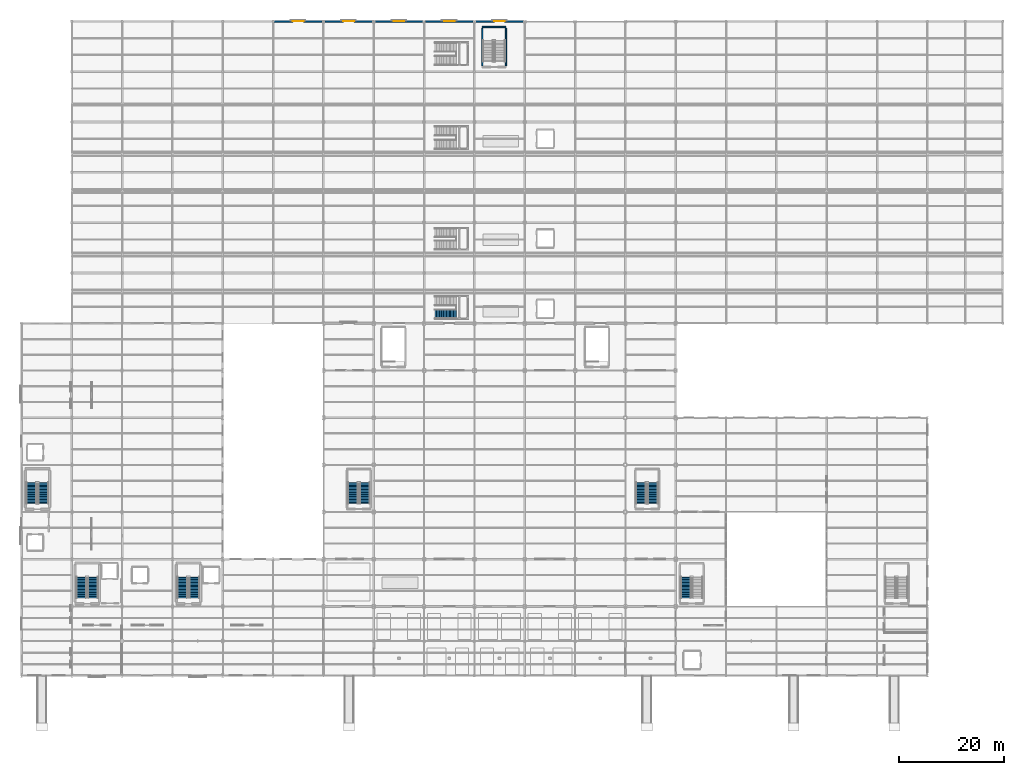
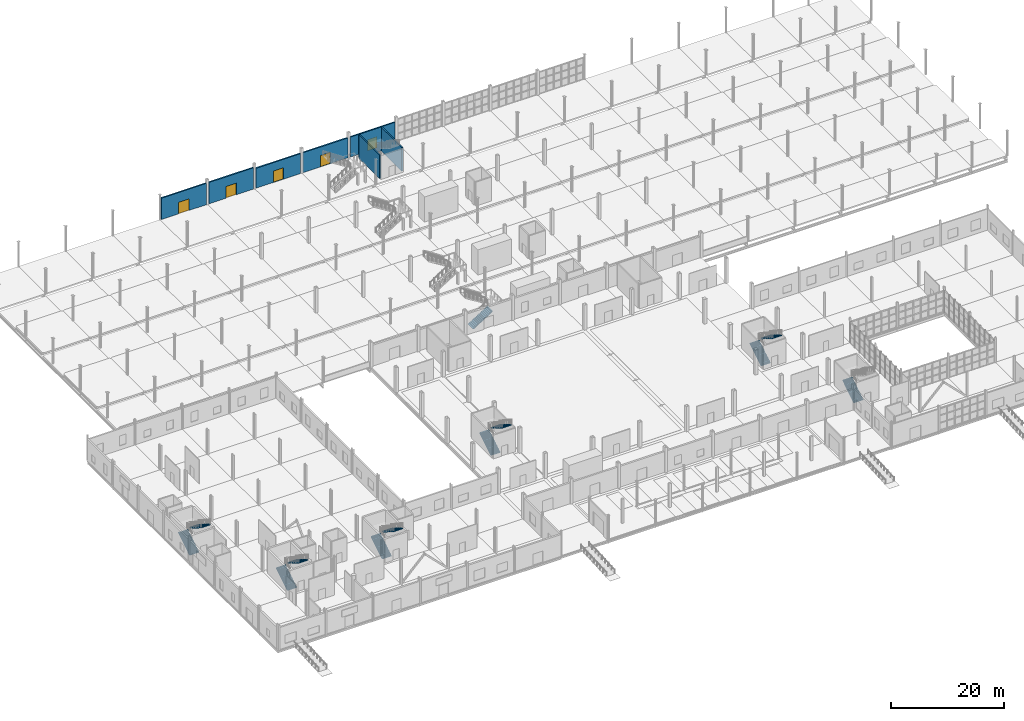
# One storey, part 73 of 85: 12 stair flights, 8 walls, 5 doors, 5 openings, 7 elements without a shape of their own.
"""IFC4 building model written with IfcOpenShell, lengths in metres."""

from ifc_helpers import new_model, si_unit, direction, frame, frame_2d, origin, place, context, subcontext, project, spatial, polyline, rectangle, outline, extrude, material, layer, layer_set, type_object, element, fill, aggregate, save


model = new_model("IFC4")

# Units and contexts
model_context = context("Model", 3, precision=1e-05, world=origin(), true_north=direction((0.0, 1.0)))
body_context = subcontext(model_context, "Body", "Model", "MODEL_VIEW")
ifc_project = project(units=[si_unit("LENGTHUNIT", "METRE"), si_unit("AREAUNIT", "SQUARE_METRE"), si_unit("VOLUMEUNIT", "CUBIC_METRE"), si_unit("PLANEANGLEUNIT", "RADIAN"), si_unit("MASSUNIT", "GRAM", prefix="KILO")], contexts=[model_context])

# Site, building, storey
site_placement = place(None, origin())
site = spatial("IfcSite", under=ifc_project, at=site_placement, CompositionType="ELEMENT")
building_placement = place(site_placement, origin())
building = spatial("IfcBuilding", under=site, at=building_placement, Name="Zarnetskaya Central Station", CompositionType="ELEMENT")
storey_placement = place(building_placement, origin())
storey = spatial("IfcBuildingStorey", under=building, at=storey_placement, Name="L00", CompositionType="ELEMENT", Elevation=0.0)

# Wall, opening, door
ifc_material_1 = material(Name="Precast concrete C40/50", Category="concrete")
ifc_layer_1 = layer(ifc_material_1, 0.280029296875, Name="Precast concrete C40/50", Category="concrete")
ifc_layer_set_1 = layer_set([ifc_layer_1], Name="Precast concrete C40/50")
wall_type_1 = type_object("IfcWallType", Name="WALL-EXT-280", PredefinedType="SOLIDWALL", material=ifc_layer_set_1)
wall_1_placement = place(storey_placement, frame((48.203125, 124.800048828125, 0.0), z_axis=(0.0, 0.0, 1.0), x_axis=(1.0, 0.0, 0.0)))
wall_1 = element("IfcWall", 1, at=wall_1_placement, inside=storey, type_object=wall_type_1, Name="Exterior precast wall EW-L00-482-1248-574-1248", PredefinedType="SOLIDWALL", context=body_context, shape_type="SweptSolid", body=[
    extrude(rectangle(XDim=9.14697265625, YDim=0.280029296875, at=frame_2d((4.573486328125, 0.0))), origin(), (0.0, 0.0, 1.0), 4.60009765625),
])
opening_1_placement = place(wall_1_placement, frame((3.498291015625, 0.0, 0.0)))
opening_1 = element("IfcOpeningElement", 2, at=opening_1_placement, cuts=wall_1, Name="Opening ED-13", PredefinedType="OPENING", context=body_context, shape_type="SweptSolid", body=[
    extrude(rectangle(XDim=2.14990234375, YDim=2.5, at=frame_2d((1.074951171875, 1.25))), frame((0.0, 0.14990234375, 0.0), z_axis=(0.0, -1.0, 0.0), x_axis=(1.0, 0.0, 0.0)), (0.0, 0.0, 1.0), 0.300048828125),
])
ifc_material_2 = material(Name="Anodised aluminium", Category="aluminium")
door_type_1 = type_object("IfcDoorType", Name="DR-EXT-215x250", OperationType="NOTDEFINED", PredefinedType="DOOR", material=ifc_material_2)
door_1_placement = place(opening_1_placement, origin())
door_1 = element("IfcDoor", 3, at=door_1_placement, inside=storey, type_object=door_type_1, Name="Pedestrian final exit door ED-26", OperationType="DOUBLE_DOOR_SINGLE_SWING", OverallHeight=2.5, OverallWidth=2.14990234375, PredefinedType="DOOR", context=body_context, shape_type="SweptSolid", body=[
    extrude(rectangle(XDim=2.14990234375, YDim=2.5, at=frame_2d((1.074951171875, 1.25))), frame((0.0, 0.02490234375, 0.0), z_axis=(0.0, -1.0, 0.0), x_axis=(1.0, 0.0, 0.0)), (0.0, 0.0, 1.0), 0.050048828125),
])
fill(opening_1, door_1)

wall_2_placement = place(storey_placement, frame((57.85009765625, 124.800048828125, 0.0), z_axis=(0.0, 0.0, 1.0), x_axis=(1.0, 0.0, 0.0)))
wall_2 = element("IfcWall", 4, at=wall_2_placement, inside=storey, type_object=wall_type_1, Name="Exterior precast wall EW-L00-578-1248-670-1248", PredefinedType="SOLIDWALL", context=body_context, shape_type="SweptSolid", body=[
    extrude(rectangle(XDim=9.099853515625, YDim=0.280029296875, at=frame_2d((4.5498046875, 0.0))), origin(), (0.0, 0.0, 1.0), 4.60009765625),
])
opening_2_placement = place(wall_2_placement, frame((3.5, 0.0, 0.0)))
opening_2 = element("IfcOpeningElement", 5, at=opening_2_placement, cuts=wall_2, Name="Opening ED-10", PredefinedType="OPENING", context=body_context, shape_type="SweptSolid", body=[
    extrude(rectangle(XDim=2.10009765625, YDim=2.5, at=frame_2d((1.050048828125, 1.25))), frame((0.0, 0.14990234375, 0.0), z_axis=(0.0, -1.0, 0.0), x_axis=(1.0, 0.0, 0.0)), (0.0, 0.0, 1.0), 0.300048828125),
])
door_type_2 = type_object("IfcDoorType", Name="DR-EXT-210x250", OperationType="NOTDEFINED", PredefinedType="DOOR", material=ifc_material_2)
door_2_placement = place(opening_2_placement, origin())
door_2 = element("IfcDoor", 6, at=door_2_placement, inside=storey, type_object=door_type_2, Name="Pedestrian final exit door ED-27", OperationType="DOUBLE_DOOR_SINGLE_SWING", OverallHeight=2.5, OverallWidth=2.10009765625, PredefinedType="DOOR", context=body_context, shape_type="SweptSolid", body=[
    extrude(rectangle(XDim=2.10009765625, YDim=2.5, at=frame_2d((1.050048828125, 1.25))), frame((0.0, 0.02490234375, 0.0), z_axis=(0.0, -1.0, 0.0), x_axis=(1.0, 0.0, 0.0)), (0.0, 0.0, 1.0), 0.050048828125),
])
fill(opening_2, door_2)

wall_3_placement = place(storey_placement, frame((67.449951171875, 124.800048828125, 0.0), z_axis=(0.0, 0.0, 1.0), x_axis=(1.0, 0.0, 0.0)))
wall_3 = element("IfcWall", 7, at=wall_3_placement, inside=storey, type_object=wall_type_1, Name="Exterior precast wall EW-L00-674-1248-766-1248", PredefinedType="SOLIDWALL", context=body_context, shape_type="SweptSolid", body=[
    extrude(rectangle(XDim=9.10009765625, YDim=0.280029296875, at=frame_2d((4.550048828125, 0.0))), origin(), (0.0, 0.0, 1.0), 4.2900390625),
])
opening_3_placement = place(wall_3_placement, frame((3.52490234375, 0.0, 0.0)))
opening_3 = element("IfcOpeningElement", 8, at=opening_3_placement, cuts=wall_3, Name="Opening ED-14", PredefinedType="OPENING", context=body_context, shape_type="SweptSolid", body=[
    extrude(rectangle(XDim=2.050048828125, YDim=2.449951171875, at=frame_2d((1.02490234375, 1.22509765625))), frame((0.0, 0.14990234375, 0.0), z_axis=(0.0, -1.0, 0.0), x_axis=(1.0, 0.0, 0.0)), (0.0, 0.0, 1.0), 0.300048828125),
])
door_type_3 = type_object("IfcDoorType", Name="DR-EXT-205x245", OperationType="NOTDEFINED", PredefinedType="DOOR", material=ifc_material_2)
door_3_placement = place(opening_3_placement, origin())
door_3 = element("IfcDoor", 9, at=door_3_placement, inside=storey, type_object=door_type_3, Name="Pedestrian final exit door ED-28", OperationType="DOUBLE_DOOR_SINGLE_SWING", OverallHeight=2.449951171875, OverallWidth=2.050048828125, PredefinedType="DOOR", context=body_context, shape_type="SweptSolid", body=[
    extrude(rectangle(XDim=2.050048828125, YDim=2.449951171875, at=frame_2d((1.02490234375, 1.22509765625))), frame((0.0, 0.02490234375, 0.0), z_axis=(0.0, -1.0, 0.0), x_axis=(1.0, 0.0, 0.0)), (0.0, 0.0, 1.0), 0.050048828125),
])
fill(opening_3, door_3)

wall_4_placement = place(storey_placement, frame((77.050048828125, 124.800048828125, 0.0), z_axis=(0.0, 0.0, 1.0), x_axis=(1.0, 0.0, 0.0)))
wall_4 = element("IfcWall", 10, at=wall_4_placement, inside=storey, type_object=wall_type_1, Name="Exterior precast wall EW-L00-770-1248-862-1248", PredefinedType="SOLIDWALL", context=body_context, shape_type="SweptSolid", body=[
    extrude(rectangle(XDim=9.099853515625, YDim=0.280029296875, at=frame_2d((4.5498046875, 0.0))), origin(), (0.0, 0.0, 1.0), 4.2900390625),
])
opening_4_placement = place(wall_4_placement, frame((3.550048828125, 0.0, 0.0)))
opening_4 = element("IfcOpeningElement", 11, at=opening_4_placement, cuts=wall_4, Name="Opening ED-03", PredefinedType="OPENING", context=body_context, shape_type="SweptSolid", body=[
    extrude(rectangle(XDim=2.0, YDim=2.449951171875, at=frame_2d((1.0, 1.22509765625))), frame((0.0, 0.14990234375, 0.0), z_axis=(0.0, -1.0, 0.0), x_axis=(1.0, 0.0, 0.0)), (0.0, 0.0, 1.0), 0.300048828125),
])
door_type_4 = type_object("IfcDoorType", Name="DR-EXT-200x245", OperationType="NOTDEFINED", PredefinedType="DOOR", material=ifc_material_2)
door_4_placement = place(opening_4_placement, origin())
door_4 = element("IfcDoor", 12, at=door_4_placement, inside=storey, type_object=door_type_4, Name="Pedestrian final exit door ED-29", OperationType="DOUBLE_DOOR_SINGLE_SWING", OverallHeight=2.449951171875, OverallWidth=2.0, PredefinedType="DOOR", context=body_context, shape_type="SweptSolid", body=[
    extrude(rectangle(XDim=2.0, YDim=2.449951171875, at=frame_2d((1.0, 1.22509765625))), frame((0.0, 0.02490234375, 0.0), z_axis=(0.0, -1.0, 0.0), x_axis=(1.0, 0.0, 0.0)), (0.0, 0.0, 1.0), 0.050048828125),
])
fill(opening_4, door_4)

wall_5_placement = place(storey_placement, frame((86.64990234375, 124.800048828125, 0.0), z_axis=(0.0, 0.0, 1.0), x_axis=(1.0, 0.0, 0.0)))
wall_5 = element("IfcWall", 13, at=wall_5_placement, inside=storey, type_object=wall_type_1, Name="Exterior precast wall EW-L00-866-1248-958-1248", PredefinedType="SOLIDWALL", context=body_context, shape_type="SweptSolid", body=[
    extrude(rectangle(XDim=9.10009765625, YDim=0.280029296875, at=frame_2d((4.550048828125, 0.0))), origin(), (0.0, 0.0, 1.0), 4.2900390625),
])
opening_5_placement = place(wall_5_placement, frame((3.574951171875, 0.0, 0.0)))
opening_5 = element("IfcOpeningElement", 14, at=opening_5_placement, cuts=wall_5, Name="Opening ED-08", PredefinedType="OPENING", context=body_context, shape_type="SweptSolid", body=[
    extrude(rectangle(XDim=1.949951171875, YDim=2.39990234375, at=frame_2d((0.97509765625, 1.199951171875))), frame((0.0, 0.14990234375, 0.0), z_axis=(0.0, -1.0, 0.0), x_axis=(1.0, 0.0, 0.0)), (0.0, 0.0, 1.0), 0.300048828125),
])
door_type_5 = type_object("IfcDoorType", Name="DR-EXT-195x240", OperationType="NOTDEFINED", PredefinedType="DOOR", material=ifc_material_2)
door_5_placement = place(opening_5_placement, origin())
door_5 = element("IfcDoor", 15, at=door_5_placement, inside=storey, type_object=door_type_5, Name="Pedestrian final exit door ED-30", OperationType="DOUBLE_DOOR_SINGLE_SWING", OverallHeight=2.39990234375, OverallWidth=1.949951171875, PredefinedType="DOOR", context=body_context, shape_type="SweptSolid", body=[
    extrude(rectangle(XDim=1.949951171875, YDim=2.39990234375, at=frame_2d((0.97509765625, 1.199951171875))), frame((0.0, 0.02490234375, 0.0), z_axis=(0.0, -1.0, 0.0), x_axis=(1.0, 0.0, 0.0)), (0.0, 0.0, 1.0), 0.050048828125),
])
fill(opening_5, door_5)

# Walls
ifc_material_3 = material(Name="Concrete C35/45", Category="concrete")
ifc_layer_2 = layer(ifc_material_3, 0.239990234375, Name="Concrete C35/45", Category="concrete")
ifc_layer_set_2 = layer_set([ifc_layer_2], Name="Concrete C35/45")
wall_type_2 = type_object("IfcWallType", Name="WALL-SHFT-240", PredefinedType="SHEAR", material=ifc_layer_set_2)
wall_6_placement = place(storey_placement, frame((87.8798828125, 123.719970703125, 0.0), z_axis=(0.0, 0.0, 1.0), x_axis=(1.0, 0.0, 0.0)))
element("IfcWall", 16, at=wall_6_placement, inside=storey, type_object=wall_type_2, Name="Core shear wall WSTR-L00-0322", PredefinedType="SHEAR", context=body_context, shape_type="SweptSolid", body=[
    extrude(rectangle(XDim=4.5400390625, YDim=0.239990234375, at=frame_2d((2.27001953125, 0.0))), origin(), (0.0, 0.0, 1.0), 5.1201171875),
])
for number, where, z_axis, x_axis, name in (
    (17, (87.8798828125, 116.320068359375, 0.0), (0.0, 0.0, 1.0), (0.0, 1.0, 0.0), "Core shear wall WSTR-L00-0323"),
    (18, (92.419921875, 123.47998046875, 0.0), (0.0, 0.0, 1.0), (0.0, -1.0, 0.0), "Core shear wall WSTR-L00-0324"),
):
    element("IfcWall", number, at=place(storey_placement, frame(where, z_axis=z_axis, x_axis=x_axis)), inside=storey, type_object=wall_type_2, Name=name, PredefinedType="SHEAR", context=body_context, shape_type="SweptSolid", body=[
        extrude(rectangle(XDim=7.159912109375, YDim=0.239990234375, at=frame_2d((3.580078125, 0.0))), origin(), (0.0, 0.0, 1.0), 5.1201171875),
    ])

# Stair, stair flights
ifc_material_4 = material(Name="Concrete C30/37", Category="concrete")
stair_type_1 = type_object("IfcStairType", Name="STAIR-ASSY-01", PredefinedType="HALF_TURN_STAIR", material=ifc_material_4)
stair_1_placement = place(storey_placement, origin())
stair_1 = element("IfcStair", 19, at=stair_1_placement, inside=storey, type_object=stair_type_1, Name="Exit Stair ST-C1 L00", PredefinedType="HALF_TURN_STAIR")
stair_flight_type_1 = type_object("IfcStairFlightType", Name="FLT-TYPE-01", PredefinedType="STRAIGHT", material=ifc_material_4)
stair_flight_1_placement = place(storey_placement, frame((11.39990234375, 14.800048828125, 0.0), z_axis=(0.0, 0.0, 1.0), x_axis=(0.0, 1.0, 0.0)))
stair_flight_1 = element("IfcStairFlight", 20, at=stair_flight_1_placement, type_object=stair_flight_type_1, Name="ST-03 flight 1", NumberOfRisers=16, NumberOfTreads=15, PredefinedType="STRAIGHT", RiserHeight=0.16875, TreadLength=0.27, context=body_context, shape_type="SweptSolid", body=[
    extrude(outline(polyline([(0.0, 0.0), (0.0, 0.168701171875), (0.27001953125, 0.168701171875), (0.27001953125, 0.33740234375), (0.5400390625, 0.33740234375), (0.5400390625, 0.50634765625), (0.81005859375, 0.50634765625), (0.81005859375, 0.675048828125), (1.080078125, 0.675048828125), (1.080078125, 0.84375), (1.35009765625, 0.84375), (1.35009765625, 1.012451171875), (1.6201171875, 1.012451171875), (1.6201171875, 1.18115234375), (1.889892578125, 1.18115234375), (1.889892578125, 1.35009765625), (2.159912109375, 1.35009765625), (2.159912109375, 1.518798828125), (2.429931640625, 1.518798828125), (2.429931640625, 1.6875), (2.699951171875, 1.6875), (2.699951171875, 1.856201171875), (2.969970703125, 1.856201171875), (2.969970703125, 2.02490234375), (3.239990234375, 2.02490234375), (3.239990234375, 2.19384765625), (3.510009765625, 2.19384765625), (3.510009765625, 2.362548828125), (3.780029296875, 2.362548828125), (3.780029296875, 2.53125), (4.050048828125, 2.53125), (4.050048828125, 2.699951171875), (4.050048828125, 2.3544921875), (0.28271484375, 0.0), (0.0, 0.0)])), frame((0.0, 0.9599609375, 0.0), z_axis=(0.0, -1.0, 0.0), x_axis=(1.0, 0.0, 0.0)), (0.0, 0.0, 1.0), 1.919921875),
])
stair_flight_2_placement = place(storey_placement, frame((13.699951171875, 18.85009765625, 2.699951171875), z_axis=(0.0, 0.0, 1.0), x_axis=(0.0, -1.0, 0.0)))
stair_flight_2 = element("IfcStairFlight", 21, at=stair_flight_2_placement, type_object=stair_flight_type_1, Name="ST-03 flight 2", NumberOfRisers=16, NumberOfTreads=15, PredefinedType="STRAIGHT", RiserHeight=0.16875, TreadLength=0.27, context=body_context, shape_type="SweptSolid", body=[
    extrude(outline(polyline([(0.0, 0.0), (0.0, 0.168701171875), (0.27001953125, 0.168701171875), (0.27001953125, 0.33740234375), (0.5400390625, 0.33740234375), (0.5400390625, 0.50634765625), (0.81005859375, 0.50634765625), (0.81005859375, 0.675048828125), (1.080078125, 0.675048828125), (1.080078125, 0.84375), (1.35009765625, 0.84375), (1.35009765625, 1.012451171875), (1.6201171875, 1.012451171875), (1.6201171875, 1.18115234375), (1.889892578125, 1.18115234375), (1.889892578125, 1.35009765625), (2.159912109375, 1.35009765625), (2.159912109375, 1.518798828125), (2.429931640625, 1.518798828125), (2.429931640625, 1.6875), (2.699951171875, 1.6875), (2.699951171875, 1.856201171875), (2.969970703125, 1.856201171875), (2.969970703125, 2.02490234375), (3.239990234375, 2.02490234375), (3.239990234375, 2.19384765625), (3.510009765625, 2.19384765625), (3.510009765625, 2.362548828125), (3.780029296875, 2.362548828125), (3.780029296875, 2.53125), (4.050048828125, 2.53125), (4.050048828125, 2.699951171875), (4.050048828125, 2.3544921875), (0.28271484375, 0.0), (0.0, 0.0)])), frame((0.0, 0.9599609375, 0.0), z_axis=(0.0, -1.0, 0.0), x_axis=(1.0, 0.0, 0.0)), (0.0, 0.0, 1.0), 1.919921875),
])
aggregate(stair_1, [stair_flight_1, stair_flight_2])

stair_type_2 = type_object("IfcStairType", Name="STAIR-ASSY-02", PredefinedType="HALF_TURN_STAIR", material=ifc_material_4)
stair_2_placement = place(storey_placement, origin())
stair_2 = element("IfcStair", 22, at=stair_2_placement, inside=storey, type_object=stair_type_2, Name="Exit Stair ST-C2 L00", PredefinedType="HALF_TURN_STAIR")
stair_flight_type_2 = type_object("IfcStairFlightType", Name="FLT-TYPE-02", PredefinedType="STRAIGHT", material=ifc_material_4)
stair_flight_3_placement = place(storey_placement, frame((1.89990234375, 32.800048828125, 0.0), z_axis=(0.0, 0.0, 1.0), x_axis=(0.0, 1.0, 0.0)))
stair_flight_3 = element("IfcStairFlight", 23, at=stair_flight_3_placement, type_object=stair_flight_type_2, Name="ST-07 flight 1", NumberOfRisers=16, NumberOfTreads=15, PredefinedType="STRAIGHT", RiserHeight=0.16875, TreadLength=0.27, context=body_context, shape_type="SweptSolid", body=[
    extrude(outline(polyline([(0.0, 0.0), (0.0, 0.168701171875), (0.27001953125, 0.168701171875), (0.27001953125, 0.33740234375), (0.5400390625, 0.33740234375), (0.5400390625, 0.50634765625), (0.81005859375, 0.50634765625), (0.81005859375, 0.675048828125), (1.080078125, 0.675048828125), (1.080078125, 0.84375), (1.35009765625, 0.84375), (1.35009765625, 1.012451171875), (1.6201171875, 1.012451171875), (1.6201171875, 1.18115234375), (1.889892578125, 1.18115234375), (1.889892578125, 1.35009765625), (2.159912109375, 1.35009765625), (2.159912109375, 1.518798828125), (2.429931640625, 1.518798828125), (2.429931640625, 1.6875), (2.699951171875, 1.6875), (2.699951171875, 1.856201171875), (2.969970703125, 1.856201171875), (2.969970703125, 2.02490234375), (3.239990234375, 2.02490234375), (3.239990234375, 2.19384765625), (3.510009765625, 2.19384765625), (3.510009765625, 2.362548828125), (3.780029296875, 2.362548828125), (3.780029296875, 2.53125), (4.050048828125, 2.53125), (4.050048828125, 2.699951171875), (4.050048828125, 2.3544921875), (0.28271484375, 0.0), (0.0, 0.0)])), frame((0.0, 0.9599609375, 0.0), z_axis=(0.0, -1.0, 0.0), x_axis=(1.0, 0.0, 0.0)), (0.0, 0.0, 1.0), 1.919921875),
])
stair_flight_4_placement = place(storey_placement, frame((4.199951171875, 36.85009765625, 2.699951171875), z_axis=(0.0, 0.0, 1.0), x_axis=(0.0, -1.0, 0.0)))
stair_flight_4 = element("IfcStairFlight", 24, at=stair_flight_4_placement, type_object=stair_flight_type_2, Name="ST-07 flight 2", NumberOfRisers=16, NumberOfTreads=15, PredefinedType="STRAIGHT", RiserHeight=0.16875, TreadLength=0.27, context=body_context, shape_type="SweptSolid", body=[
    extrude(outline(polyline([(0.0, 0.0), (0.0, 0.168701171875), (0.27001953125, 0.168701171875), (0.27001953125, 0.33740234375), (0.5400390625, 0.33740234375), (0.5400390625, 0.50634765625), (0.81005859375, 0.50634765625), (0.81005859375, 0.675048828125), (1.080078125, 0.675048828125), (1.080078125, 0.84375), (1.35009765625, 0.84375), (1.35009765625, 1.012451171875), (1.6201171875, 1.012451171875), (1.6201171875, 1.18115234375), (1.889892578125, 1.18115234375), (1.889892578125, 1.35009765625), (2.159912109375, 1.35009765625), (2.159912109375, 1.518798828125), (2.429931640625, 1.518798828125), (2.429931640625, 1.6875), (2.699951171875, 1.6875), (2.699951171875, 1.856201171875), (2.969970703125, 1.856201171875), (2.969970703125, 2.02490234375), (3.239990234375, 2.02490234375), (3.239990234375, 2.19384765625), (3.510009765625, 2.19384765625), (3.510009765625, 2.362548828125), (3.780029296875, 2.362548828125), (3.780029296875, 2.53125), (4.050048828125, 2.53125), (4.050048828125, 2.699951171875), (4.050048828125, 2.3544921875), (0.28271484375, 0.0), (0.0, 0.0)])), frame((0.0, 0.9599609375, 0.0), z_axis=(0.0, -1.0, 0.0), x_axis=(1.0, 0.0, 0.0)), (0.0, 0.0, 1.0), 1.919921875),
])
aggregate(stair_2, [stair_flight_3, stair_flight_4])

stair_type_3 = type_object("IfcStairType", Name="STAIR-ASSY-03", PredefinedType="HALF_TURN_STAIR", material=ifc_material_4)
stair_3_placement = place(storey_placement, origin())
stair_3 = element("IfcStair", 25, at=stair_3_placement, inside=storey, type_object=stair_type_3, Name="Exit Stair ST-C3 L00", PredefinedType="HALF_TURN_STAIR")
stair_flight_type_3 = type_object("IfcStairFlightType", Name="FLT-TYPE-03", PredefinedType="STRAIGHT", material=ifc_material_4)
stair_flight_5_placement = place(storey_placement, frame((30.699951171875, 14.800048828125, 0.0), z_axis=(0.0, 0.0, 1.0), x_axis=(0.0, 1.0, 0.0)))
stair_flight_5 = element("IfcStairFlight", 26, at=stair_flight_5_placement, type_object=stair_flight_type_3, Name="ST-04 flight 1", NumberOfRisers=16, NumberOfTreads=15, PredefinedType="STRAIGHT", RiserHeight=0.16875, TreadLength=0.27, context=body_context, shape_type="SweptSolid", body=[
    extrude(outline(polyline([(0.0, 0.0), (0.0, 0.168701171875), (0.27001953125, 0.168701171875), (0.27001953125, 0.33740234375), (0.5400390625, 0.33740234375), (0.5400390625, 0.50634765625), (0.81005859375, 0.50634765625), (0.81005859375, 0.675048828125), (1.080078125, 0.675048828125), (1.080078125, 0.84375), (1.35009765625, 0.84375), (1.35009765625, 1.012451171875), (1.6201171875, 1.012451171875), (1.6201171875, 1.18115234375), (1.889892578125, 1.18115234375), (1.889892578125, 1.35009765625), (2.159912109375, 1.35009765625), (2.159912109375, 1.518798828125), (2.429931640625, 1.518798828125), (2.429931640625, 1.6875), (2.699951171875, 1.6875), (2.699951171875, 1.856201171875), (2.969970703125, 1.856201171875), (2.969970703125, 2.02490234375), (3.239990234375, 2.02490234375), (3.239990234375, 2.19384765625), (3.510009765625, 2.19384765625), (3.510009765625, 2.362548828125), (3.780029296875, 2.362548828125), (3.780029296875, 2.53125), (4.050048828125, 2.53125), (4.050048828125, 2.699951171875), (4.050048828125, 2.3544921875), (0.28271484375, 0.0), (0.0, 0.0)])), frame((0.0, 0.9599609375, 0.0), z_axis=(0.0, -1.0, 0.0), x_axis=(1.0, 0.0, 0.0)), (0.0, 0.0, 1.0), 1.919921875),
])
stair_flight_6_placement = place(storey_placement, frame((33.0, 18.85009765625, 2.699951171875), z_axis=(0.0, 0.0, 1.0), x_axis=(0.0, -1.0, 0.0)))
stair_flight_6 = element("IfcStairFlight", 27, at=stair_flight_6_placement, type_object=stair_flight_type_3, Name="ST-04 flight 2", NumberOfRisers=16, NumberOfTreads=15, PredefinedType="STRAIGHT", RiserHeight=0.16875, TreadLength=0.27, context=body_context, shape_type="SweptSolid", body=[
    extrude(outline(polyline([(0.0, 0.0), (0.0, 0.168701171875), (0.27001953125, 0.168701171875), (0.27001953125, 0.33740234375), (0.5400390625, 0.33740234375), (0.5400390625, 0.50634765625), (0.81005859375, 0.50634765625), (0.81005859375, 0.675048828125), (1.080078125, 0.675048828125), (1.080078125, 0.84375), (1.35009765625, 0.84375), (1.35009765625, 1.012451171875), (1.6201171875, 1.012451171875), (1.6201171875, 1.18115234375), (1.889892578125, 1.18115234375), (1.889892578125, 1.35009765625), (2.159912109375, 1.35009765625), (2.159912109375, 1.518798828125), (2.429931640625, 1.518798828125), (2.429931640625, 1.6875), (2.699951171875, 1.6875), (2.699951171875, 1.856201171875), (2.969970703125, 1.856201171875), (2.969970703125, 2.02490234375), (3.239990234375, 2.02490234375), (3.239990234375, 2.19384765625), (3.510009765625, 2.19384765625), (3.510009765625, 2.362548828125), (3.780029296875, 2.362548828125), (3.780029296875, 2.53125), (4.050048828125, 2.53125), (4.050048828125, 2.699951171875), (4.050048828125, 2.3544921875), (0.28271484375, 0.0), (0.0, 0.0)])), frame((0.0, 0.9599609375, 0.0), z_axis=(0.0, -1.0, 0.0), x_axis=(1.0, 0.0, 0.0)), (0.0, 0.0, 1.0), 1.919921875),
])
aggregate(stair_3, [stair_flight_5, stair_flight_6])

stair_type_4 = type_object("IfcStairType", Name="STAIR-ASSY-04", PredefinedType="HALF_TURN_STAIR", material=ifc_material_4)
stair_4_placement = place(storey_placement, origin())
stair_4 = element("IfcStair", 28, at=stair_4_placement, inside=storey, type_object=stair_type_4, Name="Exit Stair ST-H1 L00", PredefinedType="HALF_TURN_STAIR")
stair_flight_type_4 = type_object("IfcStairFlightType", Name="FLT-TYPE-04", PredefinedType="STRAIGHT", material=ifc_material_4)
stair_flight_7_placement = place(storey_placement, frame((63.199951171875, 32.800048828125, 0.0), z_axis=(0.0, 0.0, 1.0), x_axis=(0.0, 1.0, 0.0)))
stair_flight_7 = element("IfcStairFlight", 29, at=stair_flight_7_placement, type_object=stair_flight_type_4, Name="ST-10 flight 1", NumberOfRisers=16, NumberOfTreads=15, PredefinedType="STRAIGHT", RiserHeight=0.16875, TreadLength=0.27, context=body_context, shape_type="SweptSolid", body=[
    extrude(outline(polyline([(0.0, 0.0), (0.0, 0.168701171875), (0.27001953125, 0.168701171875), (0.27001953125, 0.33740234375), (0.5400390625, 0.33740234375), (0.5400390625, 0.50634765625), (0.81005859375, 0.50634765625), (0.81005859375, 0.675048828125), (1.080078125, 0.675048828125), (1.080078125, 0.84375), (1.35009765625, 0.84375), (1.35009765625, 1.012451171875), (1.6201171875, 1.012451171875), (1.6201171875, 1.18115234375), (1.889892578125, 1.18115234375), (1.889892578125, 1.35009765625), (2.159912109375, 1.35009765625), (2.159912109375, 1.518798828125), (2.429931640625, 1.518798828125), (2.429931640625, 1.6875), (2.699951171875, 1.6875), (2.699951171875, 1.856201171875), (2.969970703125, 1.856201171875), (2.969970703125, 2.02490234375), (3.239990234375, 2.02490234375), (3.239990234375, 2.19384765625), (3.510009765625, 2.19384765625), (3.510009765625, 2.362548828125), (3.780029296875, 2.362548828125), (3.780029296875, 2.53125), (4.050048828125, 2.53125), (4.050048828125, 2.699951171875), (4.050048828125, 2.3544921875), (0.28271484375, 0.0), (0.0, 0.0)])), frame((0.0, 0.9599609375, 0.0), z_axis=(0.0, -1.0, 0.0), x_axis=(1.0, 0.0, 0.0)), (0.0, 0.0, 1.0), 1.919921875),
])
stair_flight_8_placement = place(storey_placement, frame((65.5, 36.85009765625, 2.699951171875), z_axis=(0.0, 0.0, 1.0), x_axis=(0.0, -1.0, 0.0)))
stair_flight_8 = element("IfcStairFlight", 30, at=stair_flight_8_placement, type_object=stair_flight_type_4, Name="ST-10 flight 2", NumberOfRisers=16, NumberOfTreads=15, PredefinedType="STRAIGHT", RiserHeight=0.16875, TreadLength=0.27, context=body_context, shape_type="SweptSolid", body=[
    extrude(outline(polyline([(0.0, 0.0), (0.0, 0.168701171875), (0.27001953125, 0.168701171875), (0.27001953125, 0.33740234375), (0.5400390625, 0.33740234375), (0.5400390625, 0.50634765625), (0.81005859375, 0.50634765625), (0.81005859375, 0.675048828125), (1.080078125, 0.675048828125), (1.080078125, 0.84375), (1.35009765625, 0.84375), (1.35009765625, 1.012451171875), (1.6201171875, 1.012451171875), (1.6201171875, 1.18115234375), (1.889892578125, 1.18115234375), (1.889892578125, 1.35009765625), (2.159912109375, 1.35009765625), (2.159912109375, 1.518798828125), (2.429931640625, 1.518798828125), (2.429931640625, 1.6875), (2.699951171875, 1.6875), (2.699951171875, 1.856201171875), (2.969970703125, 1.856201171875), (2.969970703125, 2.02490234375), (3.239990234375, 2.02490234375), (3.239990234375, 2.19384765625), (3.510009765625, 2.19384765625), (3.510009765625, 2.362548828125), (3.780029296875, 2.362548828125), (3.780029296875, 2.53125), (4.050048828125, 2.53125), (4.050048828125, 2.699951171875), (4.050048828125, 2.3544921875), (0.28271484375, 0.0), (0.0, 0.0)])), frame((0.0, 0.9599609375, 0.0), z_axis=(0.0, -1.0, 0.0), x_axis=(1.0, 0.0, 0.0)), (0.0, 0.0, 1.0), 1.919921875),
])
aggregate(stair_4, [stair_flight_7, stair_flight_8])

# Stair, stair flight
stair_type_5 = type_object("IfcStairType", Name="STAIR-ASSY-05", PredefinedType="HALF_TURN_STAIR", material=ifc_material_4)
stair_5_placement = place(storey_placement, origin())
stair_5 = element("IfcStair", 31, at=stair_5_placement, inside=storey, type_object=stair_type_5, Name="Exit Stair ST-V1 L00", PredefinedType="HALF_TURN_STAIR")
stair_flight_type_5 = type_object("IfcStairFlightType", Name="FLT-TYPE-05", PredefinedType="STRAIGHT", material=ifc_material_4)
stair_flight_9_placement = place(storey_placement, frame((126.699951171875, 14.800048828125, 0.0), z_axis=(0.0, 0.0, 1.0), x_axis=(0.0, 1.0, 0.0)))
stair_flight_9 = element("IfcStairFlight", 32, at=stair_flight_9_placement, type_object=stair_flight_type_5, Name="ST-06 flight 1", NumberOfRisers=16, NumberOfTreads=15, PredefinedType="STRAIGHT", RiserHeight=0.16875, TreadLength=0.27, context=body_context, shape_type="SweptSolid", body=[
    extrude(outline(polyline([(0.0, 0.0), (0.0, 0.168701171875), (0.27001953125, 0.168701171875), (0.27001953125, 0.33740234375), (0.5400390625, 0.33740234375), (0.5400390625, 0.50634765625), (0.81005859375, 0.50634765625), (0.81005859375, 0.675048828125), (1.080078125, 0.675048828125), (1.080078125, 0.84375), (1.35009765625, 0.84375), (1.35009765625, 1.012451171875), (1.6201171875, 1.012451171875), (1.6201171875, 1.18115234375), (1.889892578125, 1.18115234375), (1.889892578125, 1.35009765625), (2.159912109375, 1.35009765625), (2.159912109375, 1.518798828125), (2.429931640625, 1.518798828125), (2.429931640625, 1.6875), (2.699951171875, 1.6875), (2.699951171875, 1.856201171875), (2.969970703125, 1.856201171875), (2.969970703125, 2.02490234375), (3.239990234375, 2.02490234375), (3.239990234375, 2.19384765625), (3.510009765625, 2.19384765625), (3.510009765625, 2.362548828125), (3.780029296875, 2.362548828125), (3.780029296875, 2.53125), (4.050048828125, 2.53125), (4.050048828125, 2.699951171875), (4.050048828125, 2.3544921875), (0.28271484375, 0.0), (0.0, 0.0)])), frame((0.0, 0.9599609375, 0.0), z_axis=(0.0, -1.0, 0.0), x_axis=(1.0, 0.0, 0.0)), (0.0, 0.0, 1.0), 1.919921875),
])
aggregate(stair_5, [stair_flight_9])

# Stair, stair flights
stair_type_6 = type_object("IfcStairType", Name="STAIR-ASSY-09", PredefinedType="HALF_TURN_STAIR", material=ifc_material_4)
stair_6_placement = place(storey_placement, origin())
stair_6 = element("IfcStair", 33, at=stair_6_placement, inside=storey, type_object=stair_type_6, Name="Exit Stair ST-E1 L00", PredefinedType="HALF_TURN_STAIR")
stair_flight_type_6 = type_object("IfcStairFlightType", Name="FLT-TYPE-09", PredefinedType="STRAIGHT", material=ifc_material_4)
stair_flight_10_placement = place(storey_placement, frame((118.199951171875, 32.800048828125, 0.0), z_axis=(0.0, 0.0, 1.0), x_axis=(0.0, 1.0, 0.0)))
stair_flight_10 = element("IfcStairFlight", 34, at=stair_flight_10_placement, type_object=stair_flight_type_6, Name="ST-09 flight 1", NumberOfRisers=16, NumberOfTreads=15, PredefinedType="STRAIGHT", RiserHeight=0.16875, TreadLength=0.27, context=body_context, shape_type="SweptSolid", body=[
    extrude(outline(polyline([(0.0, 0.0), (0.0, 0.168701171875), (0.27001953125, 0.168701171875), (0.27001953125, 0.33740234375), (0.5400390625, 0.33740234375), (0.5400390625, 0.50634765625), (0.81005859375, 0.50634765625), (0.81005859375, 0.675048828125), (1.080078125, 0.675048828125), (1.080078125, 0.84375), (1.35009765625, 0.84375), (1.35009765625, 1.012451171875), (1.6201171875, 1.012451171875), (1.6201171875, 1.18115234375), (1.889892578125, 1.18115234375), (1.889892578125, 1.35009765625), (2.159912109375, 1.35009765625), (2.159912109375, 1.518798828125), (2.429931640625, 1.518798828125), (2.429931640625, 1.6875), (2.699951171875, 1.6875), (2.699951171875, 1.856201171875), (2.969970703125, 1.856201171875), (2.969970703125, 2.02490234375), (3.239990234375, 2.02490234375), (3.239990234375, 2.19384765625), (3.510009765625, 2.19384765625), (3.510009765625, 2.362548828125), (3.780029296875, 2.362548828125), (3.780029296875, 2.53125), (4.050048828125, 2.53125), (4.050048828125, 2.699951171875), (4.050048828125, 2.3544921875), (0.28271484375, 0.0), (0.0, 0.0)])), frame((0.0, 0.9599609375, 0.0), z_axis=(0.0, -1.0, 0.0), x_axis=(1.0, 0.0, 0.0)), (0.0, 0.0, 1.0), 1.919921875),
])
stair_flight_11_placement = place(storey_placement, frame((120.5, 36.85009765625, 2.699951171875), z_axis=(0.0, 0.0, 1.0), x_axis=(0.0, -1.0, 0.0)))
stair_flight_11 = element("IfcStairFlight", 35, at=stair_flight_11_placement, type_object=stair_flight_type_6, Name="ST-09 flight 2", NumberOfRisers=16, NumberOfTreads=15, PredefinedType="STRAIGHT", RiserHeight=0.16875, TreadLength=0.27, context=body_context, shape_type="SweptSolid", body=[
    extrude(outline(polyline([(0.0, 0.0), (0.0, 0.168701171875), (0.27001953125, 0.168701171875), (0.27001953125, 0.33740234375), (0.5400390625, 0.33740234375), (0.5400390625, 0.50634765625), (0.81005859375, 0.50634765625), (0.81005859375, 0.675048828125), (1.080078125, 0.675048828125), (1.080078125, 0.84375), (1.35009765625, 0.84375), (1.35009765625, 1.012451171875), (1.6201171875, 1.012451171875), (1.6201171875, 1.18115234375), (1.889892578125, 1.18115234375), (1.889892578125, 1.35009765625), (2.159912109375, 1.35009765625), (2.159912109375, 1.518798828125), (2.429931640625, 1.518798828125), (2.429931640625, 1.6875), (2.699951171875, 1.6875), (2.699951171875, 1.856201171875), (2.969970703125, 1.856201171875), (2.969970703125, 2.02490234375), (3.239990234375, 2.02490234375), (3.239990234375, 2.19384765625), (3.510009765625, 2.19384765625), (3.510009765625, 2.362548828125), (3.780029296875, 2.362548828125), (3.780029296875, 2.53125), (4.050048828125, 2.53125), (4.050048828125, 2.699951171875), (4.050048828125, 2.3544921875), (0.28271484375, 0.0), (0.0, 0.0)])), frame((0.0, 0.9599609375, 0.0), z_axis=(0.0, -1.0, 0.0), x_axis=(1.0, 0.0, 0.0)), (0.0, 0.0, 1.0), 1.919921875),
])
aggregate(stair_6, [stair_flight_10, stair_flight_11])

# Stair, stair flight
stair_type_7 = type_object("IfcStairType", Name="STAIR-ASSY-11", PredefinedType="HALF_TURN_STAIR", material=ifc_material_4)
stair_7_placement = place(storey_placement, origin())
stair_7 = element("IfcStair", 36, at=stair_7_placement, inside=storey, type_object=stair_type_7, Name="Exit Stair ST-P1 L00", PredefinedType="HALF_TURN_STAIR")
stair_flight_type_7 = type_object("IfcStairFlightType", Name="FLT-TYPE-11", PredefinedType="STRAIGHT", material=ifc_material_4)
stair_flight_12_placement = place(storey_placement, frame((78.89990234375, 68.919921875, 0.0), z_axis=(0.0, 0.0, 1.0), x_axis=(1.0, 0.0, 0.0)))
stair_flight_12 = element("IfcStairFlight", 37, at=stair_flight_12_placement, type_object=stair_flight_type_7, Name="ST-12 flight 1", NumberOfRisers=16, NumberOfTreads=15, PredefinedType="STRAIGHT", RiserHeight=0.16875, TreadLength=0.27, context=body_context, shape_type="SweptSolid", body=[
    extrude(outline(polyline([(0.0, 0.0), (0.0, 0.168701171875), (0.27001953125, 0.168701171875), (0.27001953125, 0.33740234375), (0.5400390625, 0.33740234375), (0.5400390625, 0.50634765625), (0.81005859375, 0.50634765625), (0.81005859375, 0.675048828125), (1.080078125, 0.675048828125), (1.080078125, 0.84375), (1.35009765625, 0.84375), (1.35009765625, 1.012451171875), (1.6201171875, 1.012451171875), (1.6201171875, 1.18115234375), (1.889892578125, 1.18115234375), (1.889892578125, 1.35009765625), (2.159912109375, 1.35009765625), (2.159912109375, 1.518798828125), (2.429931640625, 1.518798828125), (2.429931640625, 1.6875), (2.699951171875, 1.6875), (2.699951171875, 1.856201171875), (2.969970703125, 1.856201171875), (2.969970703125, 2.02490234375), (3.239990234375, 2.02490234375), (3.239990234375, 2.19384765625), (3.510009765625, 2.19384765625), (3.510009765625, 2.362548828125), (3.780029296875, 2.362548828125), (3.780029296875, 2.53125), (4.050048828125, 2.53125), (4.050048828125, 2.699951171875), (4.050048828125, 2.3544921875), (0.28271484375, 0.0), (0.0, 0.0)])), frame((0.0, 0.8798828125, 0.0), z_axis=(0.0, -1.0, 0.0), x_axis=(1.0, 0.0, 0.0)), (0.0, 0.0, 1.0), 1.760009765625),
])
aggregate(stair_7, [stair_flight_12])

save(model, "model.ifc")
